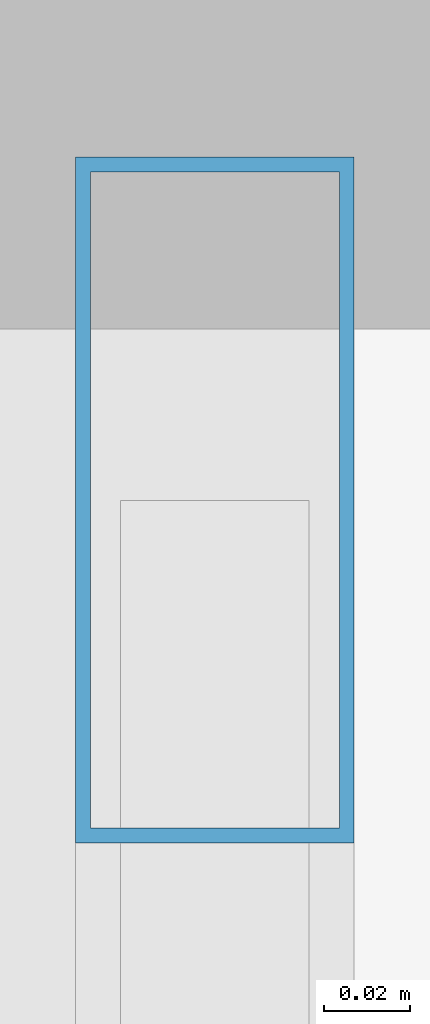
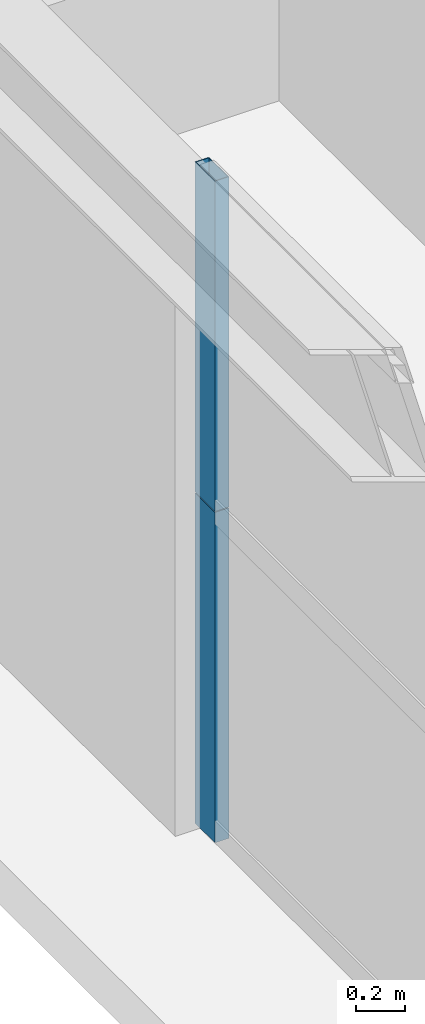
# One storey, part 29 of 45: 2 members, 1 element without a shape of its own.
"""IFC4 building model written with IfcOpenShell, lengths in metres."""

from ifc_helpers import new_model, si_unit, direction, frame, origin, origin_2d, place, context, subcontext, project, spatial, hollow_rectangle, extrude, source, transform, mapped, material, layer, layer_set, material_profile, profile_set, type_object, element, aggregate, save


model = new_model("IFC4")

# Units and contexts
model_context = context("Model", 3, precision=1e-05, world=origin(), true_north=direction((0.0, 1.0)))
body_context = subcontext(model_context, "Body", "Model", "MODEL_VIEW")
ifc_project = project(units=[si_unit("LENGTHUNIT", "METRE"), si_unit("AREAUNIT", "SQUARE_METRE"), si_unit("VOLUMEUNIT", "CUBIC_METRE"), si_unit("PLANEANGLEUNIT", "RADIAN"), si_unit("MASSUNIT", "GRAM", prefix="KILO"), si_unit("THERMODYNAMICTEMPERATUREUNIT", "KELVIN"), si_unit("POWERUNIT", "WATT")], contexts=[model_context])

# Site, building, storey
site_placement = place(None, origin())
site = spatial("IfcSite", under=ifc_project, at=site_placement, CompositionType="ELEMENT")
building_placement = place(site_placement, origin())
building = spatial("IfcBuilding", under=site, at=building_placement, Name="Yuzanri Waterfront Tower", CompositionType="ELEMENT")
storey_placement = place(building_placement, frame((0.0, 0.0, 191.5)))
storey = spatial("IfcBuildingStorey", under=building, at=storey_placement, Name="L50", CompositionType="ELEMENT", Elevation=191.5)

# Curtain wall, members
ifc_material_1 = material(Name="Anodized Architectural Bronze", Category="metal")
ifc_layer = layer(ifc_material_1, 0.159912109375)
ifc_layer_set = layer_set([ifc_layer], Name="Anodized Architectural Bronze")
curtain_wall_type = type_object("IfcCurtainWallType", Name="Anodized Bronze Mid-Rise Residential Acoustic Unitized Curtain Wall 7200", PredefinedType="NOTDEFINED", material=ifc_layer_set)
curtain_wall_placement = place(storey_placement, origin())
curtain_wall = element("IfcCurtainWall", 1, at=curtain_wall_placement, inside=storey, type_object=curtain_wall_type, Name="L50 Curtain Wall CW-L50-WR", PredefinedType="NOTDEFINED")
ifc_material_2 = material(Name="Anodized Architectural Bronze", Category="metal")
ifc_material_profile = material_profile(ifc_material_2, hollow_rectangle(XDim=0.06494140625, YDim=0.159912109375, WallThickness=0.00341796875, at=origin_2d()), Name="CWM 65x160")
ifc_profile_set = profile_set([ifc_material_profile], Name="Anodized Architectural Bronze")
member_type = type_object("IfcMemberType", Name="Anodized Bronze Upper-Zone Curtain-Wall Mullion 65x160", PredefinedType="MULLION", material=ifc_profile_set)
shared_shape = source(origin(), body_context, "Body", "SweptSolid", [
    extrude(hollow_rectangle(XDim=0.06494140625, YDim=0.159912109375, WallThickness=0.00341796875, at=origin_2d()), origin(), (0.0, 0.0, 1.0), 1.637939453125),
])
member_1_placement = place(storey_placement, frame((15.050048828125, 40.510009765625, 0.0), z_axis=(0.0, 0.0, 1.0), x_axis=(1.0, 0.0, 0.0)))
member_1 = element("IfcMember", 2, at=member_1_placement, type_object=member_type, Name="CW-L50-WR Lower Mullion 02", PredefinedType="MULLION", context=body_context, shape_type="MappedRepresentation", body=[
    mapped(shared_shape, transform((0.0, 0.0, 0.0), scale=1.0)),
])
member_2_placement = place(storey_placement, frame((15.050048828125, 40.510009765625, 1.64208984375), z_axis=(0.0, 0.0, 1.0), x_axis=(1.0, 0.0, 0.0)))
member_2 = element("IfcMember", 3, at=member_2_placement, type_object=member_type, Name="CW-L50-WR Upper Mullion 02", PredefinedType="MULLION", context=body_context, shape_type="MappedRepresentation", body=[
    mapped(shared_shape, transform((0.0, 0.0, 0.0), scale=1.0)),
])
aggregate(curtain_wall, [member_1, member_2])

save(model, "model.ifc")
